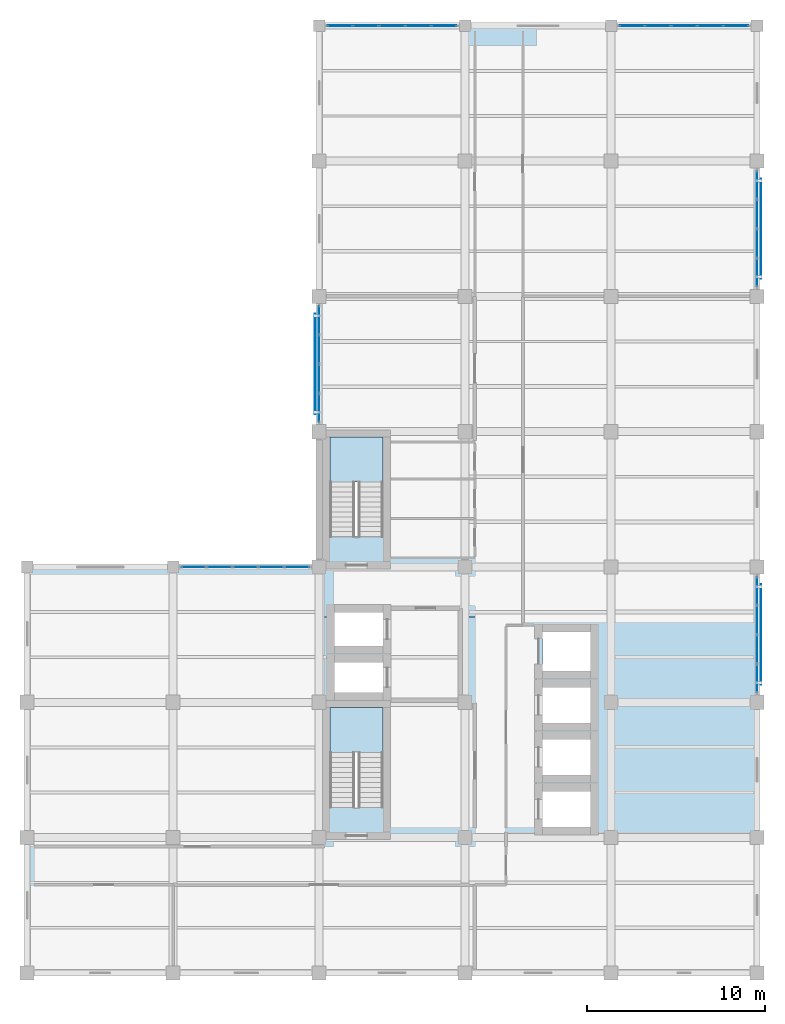
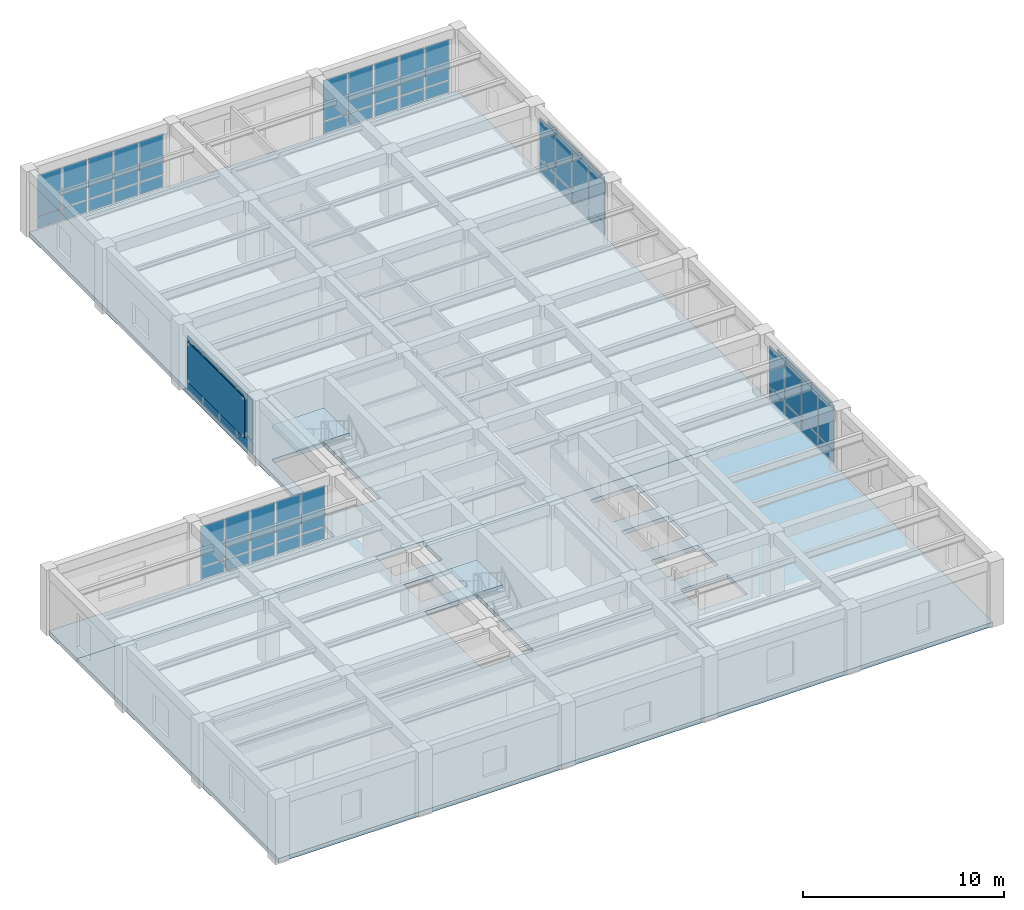
# One storey, part 6 of 13: 57 plates, 4 slabs, 8 elements without a shape of their own.
"""IFC4 building model written with IfcOpenShell, lengths in metres."""

from ifc_helpers import new_model, si_unit, direction, frame, origin, origin_2d, place, context, subcontext, project, spatial, polyline, rectangle, outline, extrude, material, layer, layer_set, type_object, element, aggregate, save


model = new_model("IFC4")

# Units and contexts
model_context = context("Model", 3, precision=1e-05, world=origin(), true_north=direction((0.0, 1.0)))
body_context = subcontext(model_context, "Body", "Model", "MODEL_VIEW")
ifc_project = project(units=[si_unit("LENGTHUNIT", "METRE"), si_unit("AREAUNIT", "SQUARE_METRE"), si_unit("VOLUMEUNIT", "CUBIC_METRE"), si_unit("PLANEANGLEUNIT", "RADIAN"), si_unit("MASSUNIT", "GRAM", prefix="KILO")], contexts=[model_context])

# Site, building, storey
site_placement = place(None, origin())
site = spatial("IfcSite", under=ifc_project, at=site_placement, CompositionType="ELEMENT")
building_placement = place(site_placement, origin())
building = spatial("IfcBuilding", under=site, at=building_placement, Name="Qandaris Square Conservatory and Botanical Centre", CompositionType="ELEMENT")
storey_placement = place(building_placement, frame((0.0, 0.0, 45.0)))
storey = spatial("IfcBuildingStorey", under=building, at=storey_placement, Name="L10", CompositionType="ELEMENT", Elevation=45.0)

# Curtain wall, plates
ifc_material_1 = material(Name="Anodised Aluminium", Category="aluminium")
curtain_wall_type_1 = type_object("IfcCurtainWallType", Name="Unitised Curtain Wall CW-4-660x335", PredefinedType="USERDEFINED", material=ifc_material_1)
curtain_wall_1_placement = place(storey_placement, origin())
curtain_wall_1 = element("IfcCurtainWall", 1, at=curtain_wall_1_placement, inside=storey, type_object=curtain_wall_type_1, Name="Curtain Wall CW-TWR-L10-2-3", ObjectType="GLAZED CURTAIN WALL", PredefinedType="USERDEFINED")
ifc_material_2 = material(Name="Tempered Low-E Glass", Category="glass")
ifc_layer_1 = layer(ifc_material_2, 0.035888671875)
ifc_layer_set_1 = layer_set([ifc_layer_1], Name="Tempered Low-E Glass")
plate_type_1 = type_object("IfcPlateType", Name="Double-Glazed Solar Control Vision Unit 36mm", PredefinedType="CURTAIN_PANEL", material=ifc_layer_set_1)
plate_1_placement = place(storey_placement, frame((163.800048828125, 33.141357421875, 0.06494140625), z_axis=(0.0, 0.0, 1.0), x_axis=(0.0, 1.0, 0.0)))
plate_1 = element("IfcPlate", 2, at=plate_1_placement, type_object=plate_type_1, Name="CW-4-660x335 panel 1.1", PredefinedType="CURTAIN_PANEL", context=body_context, shape_type="SweptSolid", body=[
    extrude(rectangle(XDim=1.552490234375, YDim=0.035888671875, at=origin_2d()), origin(), (0.0, 0.0, 1.0), 0.70654296875),
])
plate_2_placement = place(storey_placement, frame((163.800048828125, 33.141357421875, 0.83642578125), z_axis=(0.0, 0.0, 1.0), x_axis=(0.0, 1.0, 0.0)))
plate_2 = element("IfcPlate", 3, at=plate_2_placement, type_object=plate_type_1, Name="CW-4-660x335 panel 1.2", PredefinedType="CURTAIN_PANEL", context=body_context, shape_type="SweptSolid", body=[
    extrude(rectangle(XDim=1.552490234375, YDim=0.035888671875, at=origin_2d()), origin(), (0.0, 0.0, 1.0), 2.448486328125),
])
plate_3_placement = place(storey_placement, frame((163.800048828125, 34.77490234375, 0.06494140625), z_axis=(0.0, 0.0, 1.0), x_axis=(0.0, 1.0, 0.0)))
plate_3 = element("IfcPlate", 4, at=plate_3_placement, type_object=plate_type_1, Name="CW-4-660x335 panel 2.1", PredefinedType="CURTAIN_PANEL", context=body_context, shape_type="SweptSolid", body=[
    extrude(rectangle(XDim=1.5849609375, YDim=0.035888671875, at=origin_2d()), origin(), (0.0, 0.0, 1.0), 0.70654296875),
])
plate_4_placement = place(storey_placement, frame((163.800048828125, 34.77490234375, 0.83642578125), z_axis=(0.0, 0.0, 1.0), x_axis=(0.0, 1.0, 0.0)))
plate_4 = element("IfcPlate", 5, at=plate_4_placement, type_object=plate_type_1, Name="CW-4-660x335 panel 2.2", PredefinedType="CURTAIN_PANEL", context=body_context, shape_type="SweptSolid", body=[
    extrude(rectangle(XDim=1.5849609375, YDim=0.035888671875, at=origin_2d()), origin(), (0.0, 0.0, 1.0), 2.448486328125),
])
plate_5_placement = place(storey_placement, frame((163.800048828125, 36.425048828125, 0.06494140625), z_axis=(0.0, 0.0, 1.0), x_axis=(0.0, 1.0, 0.0)))
plate_5 = element("IfcPlate", 6, at=plate_5_placement, type_object=plate_type_1, Name="CW-4-660x335 panel 3.1", PredefinedType="CURTAIN_PANEL", context=body_context, shape_type="SweptSolid", body=[
    extrude(rectangle(XDim=1.5849609375, YDim=0.035888671875, at=origin_2d()), origin(), (0.0, 0.0, 1.0), 0.70654296875),
])
plate_6_placement = place(storey_placement, frame((163.800048828125, 36.425048828125, 0.83642578125), z_axis=(0.0, 0.0, 1.0), x_axis=(0.0, 1.0, 0.0)))
plate_6 = element("IfcPlate", 7, at=plate_6_placement, type_object=plate_type_1, Name="CW-4-660x335 panel 3.2", PredefinedType="CURTAIN_PANEL", context=body_context, shape_type="SweptSolid", body=[
    extrude(rectangle(XDim=1.5849609375, YDim=0.035888671875, at=origin_2d()), origin(), (0.0, 0.0, 1.0), 2.448486328125),
])
plate_7_placement = place(storey_placement, frame((163.800048828125, 38.058837890625, 0.06494140625), z_axis=(0.0, 0.0, 1.0), x_axis=(0.0, 1.0, 0.0)))
plate_7 = element("IfcPlate", 8, at=plate_7_placement, type_object=plate_type_1, Name="CW-4-660x335 panel 4.1", PredefinedType="CURTAIN_PANEL", context=body_context, shape_type="SweptSolid", body=[
    extrude(rectangle(XDim=1.552490234375, YDim=0.035888671875, at=origin_2d()), origin(), (0.0, 0.0, 1.0), 0.70654296875),
])
plate_8_placement = place(storey_placement, frame((163.800048828125, 38.058837890625, 0.83642578125), z_axis=(0.0, 0.0, 1.0), x_axis=(0.0, 1.0, 0.0)))
plate_8 = element("IfcPlate", 9, at=plate_8_placement, type_object=plate_type_1, Name="CW-4-660x335 panel 4.2", PredefinedType="CURTAIN_PANEL", context=body_context, shape_type="SweptSolid", body=[
    extrude(rectangle(XDim=1.552490234375, YDim=0.035888671875, at=origin_2d()), origin(), (0.0, 0.0, 1.0), 2.448486328125),
])
aggregate(curtain_wall_1, [plate_1, plate_2, plate_3, plate_4, plate_5, plate_6, plate_7, plate_8])

curtain_wall_2_placement = place(storey_placement, origin())
curtain_wall_2 = element("IfcCurtainWall", 10, at=curtain_wall_2_placement, inside=storey, type_object=curtain_wall_type_1, Name="Curtain Wall CW-TWR-L10-2-6", ObjectType="GLAZED CURTAIN WALL", PredefinedType="USERDEFINED")
plate_9_placement = place(storey_placement, frame((163.800048828125, 55.941162109375, 0.06494140625), z_axis=(0.0, 0.0, 1.0), x_axis=(0.0, 1.0, 0.0)))
plate_9 = element("IfcPlate", 11, at=plate_9_placement, type_object=plate_type_1, Name="CW-4-660x335 panel 1.1", PredefinedType="CURTAIN_PANEL", context=body_context, shape_type="SweptSolid", body=[
    extrude(rectangle(XDim=1.552490234375, YDim=0.035888671875, at=origin_2d()), origin(), (0.0, 0.0, 1.0), 0.70654296875),
])
plate_10_placement = place(storey_placement, frame((163.800048828125, 55.941162109375, 0.83642578125), z_axis=(0.0, 0.0, 1.0), x_axis=(0.0, 1.0, 0.0)))
plate_10 = element("IfcPlate", 12, at=plate_10_placement, type_object=plate_type_1, Name="CW-4-660x335 panel 1.2", PredefinedType="CURTAIN_PANEL", context=body_context, shape_type="SweptSolid", body=[
    extrude(rectangle(XDim=1.552490234375, YDim=0.035888671875, at=origin_2d()), origin(), (0.0, 0.0, 1.0), 2.448486328125),
])
plate_11_placement = place(storey_placement, frame((163.800048828125, 57.574951171875, 0.06494140625), z_axis=(0.0, 0.0, 1.0), x_axis=(0.0, 1.0, 0.0)))
plate_11 = element("IfcPlate", 13, at=plate_11_placement, type_object=plate_type_1, Name="CW-4-660x335 panel 2.1", PredefinedType="CURTAIN_PANEL", context=body_context, shape_type="SweptSolid", body=[
    extrude(rectangle(XDim=1.5849609375, YDim=0.035888671875, at=origin_2d()), origin(), (0.0, 0.0, 1.0), 0.70654296875),
])
plate_12_placement = place(storey_placement, frame((163.800048828125, 57.574951171875, 0.83642578125), z_axis=(0.0, 0.0, 1.0), x_axis=(0.0, 1.0, 0.0)))
plate_12 = element("IfcPlate", 14, at=plate_12_placement, type_object=plate_type_1, Name="CW-4-660x335 panel 2.2", PredefinedType="CURTAIN_PANEL", context=body_context, shape_type="SweptSolid", body=[
    extrude(rectangle(XDim=1.5849609375, YDim=0.035888671875, at=origin_2d()), origin(), (0.0, 0.0, 1.0), 2.448486328125),
])
plate_13_placement = place(storey_placement, frame((163.800048828125, 59.22509765625, 0.06494140625), z_axis=(0.0, 0.0, 1.0), x_axis=(0.0, 1.0, 0.0)))
plate_13 = element("IfcPlate", 15, at=plate_13_placement, type_object=plate_type_1, Name="CW-4-660x335 panel 3.1", PredefinedType="CURTAIN_PANEL", context=body_context, shape_type="SweptSolid", body=[
    extrude(rectangle(XDim=1.5849609375, YDim=0.035888671875, at=origin_2d()), origin(), (0.0, 0.0, 1.0), 0.70654296875),
])
plate_14_placement = place(storey_placement, frame((163.800048828125, 59.22509765625, 0.83642578125), z_axis=(0.0, 0.0, 1.0), x_axis=(0.0, 1.0, 0.0)))
plate_14 = element("IfcPlate", 16, at=plate_14_placement, type_object=plate_type_1, Name="CW-4-660x335 panel 3.2", PredefinedType="CURTAIN_PANEL", context=body_context, shape_type="SweptSolid", body=[
    extrude(rectangle(XDim=1.5849609375, YDim=0.035888671875, at=origin_2d()), origin(), (0.0, 0.0, 1.0), 2.448486328125),
])
plate_15_placement = place(storey_placement, frame((163.800048828125, 60.858642578125, 0.06494140625), z_axis=(0.0, 0.0, 1.0), x_axis=(0.0, 1.0, 0.0)))
plate_15 = element("IfcPlate", 17, at=plate_15_placement, type_object=plate_type_1, Name="CW-4-660x335 panel 4.1", PredefinedType="CURTAIN_PANEL", context=body_context, shape_type="SweptSolid", body=[
    extrude(rectangle(XDim=1.552490234375, YDim=0.035888671875, at=origin_2d()), origin(), (0.0, 0.0, 1.0), 0.70654296875),
])
plate_16_placement = place(storey_placement, frame((163.800048828125, 60.858642578125, 0.83642578125), z_axis=(0.0, 0.0, 1.0), x_axis=(0.0, 1.0, 0.0)))
plate_16 = element("IfcPlate", 18, at=plate_16_placement, type_object=plate_type_1, Name="CW-4-660x335 panel 4.2", PredefinedType="CURTAIN_PANEL", context=body_context, shape_type="SweptSolid", body=[
    extrude(rectangle(XDim=1.552490234375, YDim=0.035888671875, at=origin_2d()), origin(), (0.0, 0.0, 1.0), 2.448486328125),
])
aggregate(curtain_wall_2, [plate_9, plate_10, plate_11, plate_12, plate_13, plate_14, plate_15, plate_16])

curtain_wall_type_2 = type_object("IfcCurtainWallType", Name="Unitised Curtain Wall CW-3-735x335", PredefinedType="USERDEFINED", material=ifc_material_1)
curtain_wall_3_placement = place(storey_placement, origin())
curtain_wall_3 = element("IfcCurtainWall", 19, at=curtain_wall_3_placement, inside=storey, type_object=curtain_wall_type_2, Name="Curtain Wall CW-TWR-L10-3-1", ObjectType="GLAZED CURTAIN WALL", PredefinedType="USERDEFINED")
plate_17_placement = place(storey_placement, frame((162.623779296875, 69.800048828125, 0.06494140625), z_axis=(0.0, 0.0, 1.0), x_axis=(-1.0, 0.0, 0.0)))
plate_17 = element("IfcPlate", 20, at=plate_17_placement, type_object=plate_type_1, Name="CW-3-735x335 panel 1.1", PredefinedType="CURTAIN_PANEL", context=body_context, shape_type="SweptSolid", body=[
    extrude(rectangle(XDim=1.37255859375, YDim=0.035888671875, at=origin_2d()), origin(), (0.0, 0.0, 1.0), 0.70654296875),
])
plate_18_placement = place(storey_placement, frame((162.623779296875, 69.800048828125, 0.83642578125), z_axis=(0.0, 0.0, 1.0), x_axis=(-1.0, 0.0, 0.0)))
plate_18 = element("IfcPlate", 21, at=plate_18_placement, type_object=plate_type_1, Name="CW-3-735x335 panel 1.2", PredefinedType="CURTAIN_PANEL", context=body_context, shape_type="SweptSolid", body=[
    extrude(rectangle(XDim=1.37255859375, YDim=0.035888671875, at=origin_2d()), origin(), (0.0, 0.0, 1.0), 2.448486328125),
])
plate_19_placement = place(storey_placement, frame((161.169921875, 69.800048828125, 0.06494140625), z_axis=(0.0, 0.0, 1.0), x_axis=(-1.0, 0.0, 0.0)))
plate_19 = element("IfcPlate", 22, at=plate_19_placement, type_object=plate_type_1, Name="CW-3-735x335 panel 2.1", PredefinedType="CURTAIN_PANEL", context=body_context, shape_type="SweptSolid", body=[
    extrude(rectangle(XDim=1.405029296875, YDim=0.035888671875, at=origin_2d()), origin(), (0.0, 0.0, 1.0), 0.70654296875),
])
plate_20_placement = place(storey_placement, frame((161.169921875, 69.800048828125, 0.83642578125), z_axis=(0.0, 0.0, 1.0), x_axis=(-1.0, 0.0, 0.0)))
plate_20 = element("IfcPlate", 23, at=plate_20_placement, type_object=plate_type_1, Name="CW-3-735x335 panel 2.2", PredefinedType="CURTAIN_PANEL", context=body_context, shape_type="SweptSolid", body=[
    extrude(rectangle(XDim=1.405029296875, YDim=0.035888671875, at=origin_2d()), origin(), (0.0, 0.0, 1.0), 2.448486328125),
])
plate_21_placement = place(storey_placement, frame((159.699951171875, 69.800048828125, 0.06494140625), z_axis=(0.0, 0.0, 1.0), x_axis=(-1.0, 0.0, 0.0)))
plate_21 = element("IfcPlate", 24, at=plate_21_placement, type_object=plate_type_1, Name="CW-3-735x335 panel 3.1", PredefinedType="CURTAIN_PANEL", context=body_context, shape_type="SweptSolid", body=[
    extrude(rectangle(XDim=1.405029296875, YDim=0.035888671875, at=origin_2d()), origin(), (0.0, 0.0, 1.0), 0.70654296875),
])
plate_22_placement = place(storey_placement, frame((159.699951171875, 69.800048828125, 0.83642578125), z_axis=(0.0, 0.0, 1.0), x_axis=(-1.0, 0.0, 0.0)))
plate_22 = element("IfcPlate", 25, at=plate_22_placement, type_object=plate_type_1, Name="CW-3-735x335 panel 3.2", PredefinedType="CURTAIN_PANEL", context=body_context, shape_type="SweptSolid", body=[
    extrude(rectangle(XDim=1.405029296875, YDim=0.035888671875, at=origin_2d()), origin(), (0.0, 0.0, 1.0), 2.448486328125),
])
plate_23_placement = place(storey_placement, frame((158.22998046875, 69.800048828125, 0.06494140625), z_axis=(0.0, 0.0, 1.0), x_axis=(-1.0, 0.0, 0.0)))
plate_23 = element("IfcPlate", 26, at=plate_23_placement, type_object=plate_type_1, Name="CW-3-735x335 panel 4.1", PredefinedType="CURTAIN_PANEL", context=body_context, shape_type="SweptSolid", body=[
    extrude(rectangle(XDim=1.405029296875, YDim=0.035888671875, at=origin_2d()), origin(), (0.0, 0.0, 1.0), 0.70654296875),
])
plate_24_placement = place(storey_placement, frame((158.22998046875, 69.800048828125, 0.83642578125), z_axis=(0.0, 0.0, 1.0), x_axis=(-1.0, 0.0, 0.0)))
plate_24 = element("IfcPlate", 27, at=plate_24_placement, type_object=plate_type_1, Name="CW-3-735x335 panel 4.2", PredefinedType="CURTAIN_PANEL", context=body_context, shape_type="SweptSolid", body=[
    extrude(rectangle(XDim=1.405029296875, YDim=0.035888671875, at=origin_2d()), origin(), (0.0, 0.0, 1.0), 2.448486328125),
])
plate_25_placement = place(storey_placement, frame((156.7763671875, 69.800048828125, 0.06494140625), z_axis=(0.0, 0.0, 1.0), x_axis=(-1.0, 0.0, 0.0)))
plate_25 = element("IfcPlate", 28, at=plate_25_placement, type_object=plate_type_1, Name="CW-3-735x335 panel 5.1", PredefinedType="CURTAIN_PANEL", context=body_context, shape_type="SweptSolid", body=[
    extrude(rectangle(XDim=1.37255859375, YDim=0.035888671875, at=origin_2d()), origin(), (0.0, 0.0, 1.0), 0.70654296875),
])
plate_26_placement = place(storey_placement, frame((156.7763671875, 69.800048828125, 0.83642578125), z_axis=(0.0, 0.0, 1.0), x_axis=(-1.0, 0.0, 0.0)))
plate_26 = element("IfcPlate", 29, at=plate_26_placement, type_object=plate_type_1, Name="CW-3-735x335 panel 5.2", PredefinedType="CURTAIN_PANEL", context=body_context, shape_type="SweptSolid", body=[
    extrude(rectangle(XDim=1.37255859375, YDim=0.035888671875, at=origin_2d()), origin(), (0.0, 0.0, 1.0), 2.448486328125),
])
aggregate(curtain_wall_3, [plate_17, plate_18, plate_19, plate_20, plate_21, plate_22, plate_23, plate_24, plate_25, plate_26])

curtain_wall_4_placement = place(storey_placement, origin())
curtain_wall_4 = element("IfcCurtainWall", 30, at=curtain_wall_4_placement, inside=storey, type_object=curtain_wall_type_2, Name="Curtain Wall CW-TWR-L10-3-3", ObjectType="GLAZED CURTAIN WALL", PredefinedType="USERDEFINED")
plate_27_placement = place(storey_placement, frame((146.2236328125, 69.800048828125, 0.06494140625), z_axis=(0.0, 0.0, 1.0), x_axis=(-1.0, 0.0, 0.0)))
plate_27 = element("IfcPlate", 31, at=plate_27_placement, type_object=plate_type_1, Name="CW-3-735x335 panel 1.1", PredefinedType="CURTAIN_PANEL", context=body_context, shape_type="SweptSolid", body=[
    extrude(rectangle(XDim=1.37255859375, YDim=0.035888671875, at=origin_2d()), origin(), (0.0, 0.0, 1.0), 0.70654296875),
])
plate_28_placement = place(storey_placement, frame((146.2236328125, 69.800048828125, 0.83642578125), z_axis=(0.0, 0.0, 1.0), x_axis=(-1.0, 0.0, 0.0)))
plate_28 = element("IfcPlate", 32, at=plate_28_placement, type_object=plate_type_1, Name="CW-3-735x335 panel 1.2", PredefinedType="CURTAIN_PANEL", context=body_context, shape_type="SweptSolid", body=[
    extrude(rectangle(XDim=1.37255859375, YDim=0.035888671875, at=origin_2d()), origin(), (0.0, 0.0, 1.0), 2.448486328125),
])
plate_29_placement = place(storey_placement, frame((144.77001953125, 69.800048828125, 0.06494140625), z_axis=(0.0, 0.0, 1.0), x_axis=(-1.0, 0.0, 0.0)))
plate_29 = element("IfcPlate", 33, at=plate_29_placement, type_object=plate_type_1, Name="CW-3-735x335 panel 2.1", PredefinedType="CURTAIN_PANEL", context=body_context, shape_type="SweptSolid", body=[
    extrude(rectangle(XDim=1.405029296875, YDim=0.035888671875, at=origin_2d()), origin(), (0.0, 0.0, 1.0), 0.70654296875),
])
plate_30_placement = place(storey_placement, frame((144.77001953125, 69.800048828125, 0.83642578125), z_axis=(0.0, 0.0, 1.0), x_axis=(-1.0, 0.0, 0.0)))
plate_30 = element("IfcPlate", 34, at=plate_30_placement, type_object=plate_type_1, Name="CW-3-735x335 panel 2.2", PredefinedType="CURTAIN_PANEL", context=body_context, shape_type="SweptSolid", body=[
    extrude(rectangle(XDim=1.405029296875, YDim=0.035888671875, at=origin_2d()), origin(), (0.0, 0.0, 1.0), 2.448486328125),
])
plate_31_placement = place(storey_placement, frame((143.300048828125, 69.800048828125, 0.06494140625), z_axis=(0.0, 0.0, 1.0), x_axis=(-1.0, 0.0, 0.0)))
plate_31 = element("IfcPlate", 35, at=plate_31_placement, type_object=plate_type_1, Name="CW-3-735x335 panel 3.1", PredefinedType="CURTAIN_PANEL", context=body_context, shape_type="SweptSolid", body=[
    extrude(rectangle(XDim=1.405029296875, YDim=0.035888671875, at=origin_2d()), origin(), (0.0, 0.0, 1.0), 0.70654296875),
])
plate_32_placement = place(storey_placement, frame((143.300048828125, 69.800048828125, 0.83642578125), z_axis=(0.0, 0.0, 1.0), x_axis=(-1.0, 0.0, 0.0)))
plate_32 = element("IfcPlate", 36, at=plate_32_placement, type_object=plate_type_1, Name="CW-3-735x335 panel 3.2", PredefinedType="CURTAIN_PANEL", context=body_context, shape_type="SweptSolid", body=[
    extrude(rectangle(XDim=1.405029296875, YDim=0.035888671875, at=origin_2d()), origin(), (0.0, 0.0, 1.0), 2.448486328125),
])
plate_33_placement = place(storey_placement, frame((141.830078125, 69.800048828125, 0.06494140625), z_axis=(0.0, 0.0, 1.0), x_axis=(-1.0, 0.0, 0.0)))
plate_33 = element("IfcPlate", 37, at=plate_33_placement, type_object=plate_type_1, Name="CW-3-735x335 panel 4.1", PredefinedType="CURTAIN_PANEL", context=body_context, shape_type="SweptSolid", body=[
    extrude(rectangle(XDim=1.405029296875, YDim=0.035888671875, at=origin_2d()), origin(), (0.0, 0.0, 1.0), 0.70654296875),
])
plate_34_placement = place(storey_placement, frame((141.830078125, 69.800048828125, 0.83642578125), z_axis=(0.0, 0.0, 1.0), x_axis=(-1.0, 0.0, 0.0)))
plate_34 = element("IfcPlate", 38, at=plate_34_placement, type_object=plate_type_1, Name="CW-3-735x335 panel 4.2", PredefinedType="CURTAIN_PANEL", context=body_context, shape_type="SweptSolid", body=[
    extrude(rectangle(XDim=1.405029296875, YDim=0.035888671875, at=origin_2d()), origin(), (0.0, 0.0, 1.0), 2.448486328125),
])
plate_35_placement = place(storey_placement, frame((140.376220703125, 69.800048828125, 0.06494140625), z_axis=(0.0, 0.0, 1.0), x_axis=(-1.0, 0.0, 0.0)))
plate_35 = element("IfcPlate", 39, at=plate_35_placement, type_object=plate_type_1, Name="CW-3-735x335 panel 5.1", PredefinedType="CURTAIN_PANEL", context=body_context, shape_type="SweptSolid", body=[
    extrude(rectangle(XDim=1.37255859375, YDim=0.035888671875, at=origin_2d()), origin(), (0.0, 0.0, 1.0), 0.70654296875),
])
plate_36_placement = place(storey_placement, frame((140.376220703125, 69.800048828125, 0.83642578125), z_axis=(0.0, 0.0, 1.0), x_axis=(-1.0, 0.0, 0.0)))
plate_36 = element("IfcPlate", 40, at=plate_36_placement, type_object=plate_type_1, Name="CW-3-735x335 panel 5.2", PredefinedType="CURTAIN_PANEL", context=body_context, shape_type="SweptSolid", body=[
    extrude(rectangle(XDim=1.37255859375, YDim=0.035888671875, at=origin_2d()), origin(), (0.0, 0.0, 1.0), 2.448486328125),
])
aggregate(curtain_wall_4, [plate_27, plate_28, plate_29, plate_30, plate_31, plate_32, plate_33, plate_34, plate_35, plate_36])

curtain_wall_5_placement = place(storey_placement, origin())
curtain_wall_5 = element("IfcCurtainWall", 41, at=curtain_wall_5_placement, inside=storey, type_object=curtain_wall_type_1, Name="Curtain Wall CW-TWR-L10-4-3", ObjectType="GLAZED CURTAIN WALL", PredefinedType="USERDEFINED")
plate_37_placement = place(storey_placement, frame((139.199951171875, 53.2587890625, 0.06494140625), z_axis=(0.0, 0.0, 1.0), x_axis=(0.0, -1.0, 0.0)))
plate_37 = element("IfcPlate", 42, at=plate_37_placement, type_object=plate_type_1, Name="CW-4-660x335 panel 1.1", PredefinedType="CURTAIN_PANEL", context=body_context, shape_type="SweptSolid", body=[
    extrude(rectangle(XDim=1.552490234375, YDim=0.035888671875, at=origin_2d()), origin(), (0.0, 0.0, 1.0), 0.70654296875),
])
plate_38_placement = place(storey_placement, frame((139.199951171875, 53.2587890625, 0.83642578125), z_axis=(0.0, 0.0, 1.0), x_axis=(0.0, -1.0, 0.0)))
plate_38 = element("IfcPlate", 43, at=plate_38_placement, type_object=plate_type_1, Name="CW-4-660x335 panel 1.2", PredefinedType="CURTAIN_PANEL", context=body_context, shape_type="SweptSolid", body=[
    extrude(rectangle(XDim=1.552490234375, YDim=0.035888671875, at=origin_2d()), origin(), (0.0, 0.0, 1.0), 2.448486328125),
])
plate_39_placement = place(storey_placement, frame((139.199951171875, 51.625, 0.06494140625), z_axis=(0.0, 0.0, 1.0), x_axis=(0.0, -1.0, 0.0)))
plate_39 = element("IfcPlate", 44, at=plate_39_placement, type_object=plate_type_1, Name="CW-4-660x335 panel 2.1", PredefinedType="CURTAIN_PANEL", context=body_context, shape_type="SweptSolid", body=[
    extrude(rectangle(XDim=1.5849609375, YDim=0.035888671875, at=origin_2d()), origin(), (0.0, 0.0, 1.0), 0.70654296875),
])
plate_40_placement = place(storey_placement, frame((139.199951171875, 51.625, 0.83642578125), z_axis=(0.0, 0.0, 1.0), x_axis=(0.0, -1.0, 0.0)))
plate_40 = element("IfcPlate", 45, at=plate_40_placement, type_object=plate_type_1, Name="CW-4-660x335 panel 2.2", PredefinedType="CURTAIN_PANEL", context=body_context, shape_type="SweptSolid", body=[
    extrude(rectangle(XDim=1.5849609375, YDim=0.035888671875, at=origin_2d()), origin(), (0.0, 0.0, 1.0), 2.448486328125),
])
plate_41_placement = place(storey_placement, frame((139.199951171875, 49.97509765625, 0.06494140625), z_axis=(0.0, 0.0, 1.0), x_axis=(0.0, -1.0, 0.0)))
plate_41 = element("IfcPlate", 46, at=plate_41_placement, type_object=plate_type_1, Name="CW-4-660x335 panel 3.1", PredefinedType="CURTAIN_PANEL", context=body_context, shape_type="SweptSolid", body=[
    extrude(rectangle(XDim=1.5849609375, YDim=0.035888671875, at=origin_2d()), origin(), (0.0, 0.0, 1.0), 0.70654296875),
])
plate_42_placement = place(storey_placement, frame((139.199951171875, 49.97509765625, 0.83642578125), z_axis=(0.0, 0.0, 1.0), x_axis=(0.0, -1.0, 0.0)))
plate_42 = element("IfcPlate", 47, at=plate_42_placement, type_object=plate_type_1, Name="CW-4-660x335 panel 3.2", PredefinedType="CURTAIN_PANEL", context=body_context, shape_type="SweptSolid", body=[
    extrude(rectangle(XDim=1.5849609375, YDim=0.035888671875, at=origin_2d()), origin(), (0.0, 0.0, 1.0), 2.448486328125),
])
plate_43_placement = place(storey_placement, frame((139.199951171875, 48.34130859375, 0.06494140625), z_axis=(0.0, 0.0, 1.0), x_axis=(0.0, -1.0, 0.0)))
plate_43 = element("IfcPlate", 48, at=plate_43_placement, type_object=plate_type_1, Name="CW-4-660x335 panel 4.1", PredefinedType="CURTAIN_PANEL", context=body_context, shape_type="SweptSolid", body=[
    extrude(rectangle(XDim=1.552490234375, YDim=0.035888671875, at=origin_2d()), origin(), (0.0, 0.0, 1.0), 0.70654296875),
])
plate_44_placement = place(storey_placement, frame((139.199951171875, 48.34130859375, 0.83642578125), z_axis=(0.0, 0.0, 1.0), x_axis=(0.0, -1.0, 0.0)))
plate_44 = element("IfcPlate", 49, at=plate_44_placement, type_object=plate_type_1, Name="CW-4-660x335 panel 4.2", PredefinedType="CURTAIN_PANEL", context=body_context, shape_type="SweptSolid", body=[
    extrude(rectangle(XDim=1.552490234375, YDim=0.035888671875, at=origin_2d()), origin(), (0.0, 0.0, 1.0), 2.448486328125),
])
aggregate(curtain_wall_5, [plate_37, plate_38, plate_39, plate_40, plate_41, plate_42, plate_43, plate_44])

curtain_wall_type_3 = type_object("IfcCurtainWallType", Name="Unitised Curtain Wall CW-4-727x335", PredefinedType="USERDEFINED", material=ifc_material_1)
curtain_wall_6_placement = place(storey_placement, origin())
curtain_wall_6 = element("IfcCurtainWall", 50, at=curtain_wall_6_placement, inside=storey, type_object=curtain_wall_type_3, Name="Curtain Wall CW-TWR-L10-5-1", ObjectType="GLAZED CURTAIN WALL", PredefinedType="USERDEFINED")
plate_45_placement = place(storey_placement, frame((137.956298828125, 39.39990234375, 0.06494140625), z_axis=(0.0, 0.0, 1.0), x_axis=(-1.0, 0.0, 0.0)))
plate_45 = element("IfcPlate", 51, at=plate_45_placement, type_object=plate_type_1, Name="CW-4-727x335 panel 1.1", PredefinedType="CURTAIN_PANEL", context=body_context, shape_type="SweptSolid", body=[
    extrude(rectangle(XDim=1.357421875, YDim=0.035888671875, at=origin_2d()), origin(), (0.0, 0.0, 1.0), 0.70654296875),
])
plate_46_placement = place(storey_placement, frame((137.956298828125, 39.39990234375, 0.83642578125), z_axis=(0.0, 0.0, 1.0), x_axis=(-1.0, 0.0, 0.0)))
plate_46 = element("IfcPlate", 52, at=plate_46_placement, type_object=plate_type_1, Name="CW-4-727x335 panel 1.2", PredefinedType="CURTAIN_PANEL", context=body_context, shape_type="SweptSolid", body=[
    extrude(rectangle(XDim=1.357421875, YDim=0.035888671875, at=origin_2d()), origin(), (0.0, 0.0, 1.0), 2.448486328125),
])
plate_47_placement = place(storey_placement, frame((136.517578125, 39.39990234375, 0.06494140625), z_axis=(0.0, 0.0, 1.0), x_axis=(-1.0, 0.0, 0.0)))
plate_47 = element("IfcPlate", 53, at=plate_47_placement, type_object=plate_type_1, Name="CW-4-727x335 panel 2.1", PredefinedType="CURTAIN_PANEL", context=body_context, shape_type="SweptSolid", body=[
    extrude(rectangle(XDim=1.389892578125, YDim=0.035888671875, at=origin_2d()), origin(), (0.0, 0.0, 1.0), 0.70654296875),
])
plate_48_placement = place(storey_placement, frame((136.517578125, 39.39990234375, 0.83642578125), z_axis=(0.0, 0.0, 1.0), x_axis=(-1.0, 0.0, 0.0)))
plate_48 = element("IfcPlate", 54, at=plate_48_placement, type_object=plate_type_1, Name="CW-4-727x335 panel 2.2", PredefinedType="CURTAIN_PANEL", context=body_context, shape_type="SweptSolid", body=[
    extrude(rectangle(XDim=1.389892578125, YDim=0.035888671875, at=origin_2d()), origin(), (0.0, 0.0, 1.0), 2.448486328125),
])
plate_49_placement = place(storey_placement, frame((135.0625, 39.39990234375, 0.06494140625), z_axis=(0.0, 0.0, 1.0), x_axis=(-1.0, 0.0, 0.0)))
plate_49 = element("IfcPlate", 55, at=plate_49_placement, type_object=plate_type_1, Name="CW-4-727x335 panel 3.1", PredefinedType="CURTAIN_PANEL", context=body_context, shape_type="SweptSolid", body=[
    extrude(rectangle(XDim=1.389892578125, YDim=0.035888671875, at=origin_2d()), origin(), (0.0, 0.0, 1.0), 0.70654296875),
])
plate_50_placement = place(storey_placement, frame((135.0625, 39.39990234375, 0.83642578125), z_axis=(0.0, 0.0, 1.0), x_axis=(-1.0, 0.0, 0.0)))
plate_50 = element("IfcPlate", 56, at=plate_50_placement, type_object=plate_type_1, Name="CW-4-727x335 panel 3.2", PredefinedType="CURTAIN_PANEL", context=body_context, shape_type="SweptSolid", body=[
    extrude(rectangle(XDim=1.389892578125, YDim=0.035888671875, at=origin_2d()), origin(), (0.0, 0.0, 1.0), 2.448486328125),
])
plate_51_placement = place(storey_placement, frame((133.607421875, 39.39990234375, 0.06494140625), z_axis=(0.0, 0.0, 1.0), x_axis=(-1.0, 0.0, 0.0)))
plate_51 = element("IfcPlate", 57, at=plate_51_placement, type_object=plate_type_1, Name="CW-4-727x335 panel 4.1", PredefinedType="CURTAIN_PANEL", context=body_context, shape_type="SweptSolid", body=[
    extrude(rectangle(XDim=1.389892578125, YDim=0.035888671875, at=origin_2d()), origin(), (0.0, 0.0, 1.0), 0.70654296875),
])
plate_52_placement = place(storey_placement, frame((133.607421875, 39.39990234375, 0.83642578125), z_axis=(0.0, 0.0, 1.0), x_axis=(-1.0, 0.0, 0.0)))
plate_52 = element("IfcPlate", 58, at=plate_52_placement, type_object=plate_type_1, Name="CW-4-727x335 panel 4.2", PredefinedType="CURTAIN_PANEL", context=body_context, shape_type="SweptSolid", body=[
    extrude(rectangle(XDim=1.389892578125, YDim=0.035888671875, at=origin_2d()), origin(), (0.0, 0.0, 1.0), 2.448486328125),
])
plate_53_placement = place(storey_placement, frame((132.168701171875, 39.39990234375, 0.06494140625), z_axis=(0.0, 0.0, 1.0), x_axis=(-1.0, 0.0, 0.0)))
plate_53 = element("IfcPlate", 59, at=plate_53_placement, type_object=plate_type_1, Name="CW-4-727x335 panel 5.1", PredefinedType="CURTAIN_PANEL", context=body_context, shape_type="SweptSolid", body=[
    extrude(rectangle(XDim=1.357421875, YDim=0.035888671875, at=origin_2d()), origin(), (0.0, 0.0, 1.0), 0.70654296875),
])
plate_54_placement = place(storey_placement, frame((132.168701171875, 39.39990234375, 0.83642578125), z_axis=(0.0, 0.0, 1.0), x_axis=(-1.0, 0.0, 0.0)))
plate_54 = element("IfcPlate", 60, at=plate_54_placement, type_object=plate_type_1, Name="CW-4-727x335 panel 5.2", PredefinedType="CURTAIN_PANEL", context=body_context, shape_type="SweptSolid", body=[
    extrude(rectangle(XDim=1.357421875, YDim=0.035888671875, at=origin_2d()), origin(), (0.0, 0.0, 1.0), 2.448486328125),
])
aggregate(curtain_wall_6, [plate_45, plate_46, plate_47, plate_48, plate_49, plate_50, plate_51, plate_52, plate_53, plate_54])

# Plates
ifc_material_3 = material(Name="Weathering Bronze Alloy", Category="metal")
ifc_layer_2 = layer(ifc_material_3, 0.044921875)
ifc_layer_set_2 = layer_set([ifc_layer_2], Name="Weathering Bronze Alloy")
plate_type_2 = type_object("IfcPlateType", Name="Perforated Bronze Mashrabiya Solar Screen Panel", PredefinedType="USERDEFINED", material=ifc_layer_set_2)
for number, where, z_axis, x_axis, name in (
    (61, (164.02001953125, 35.60009765625, 0.833984375), (0.0, 0.0, 1.0), (0.0, 1.0, 0.0), "Mashrabiya Solar Screen CW-TWR-L10-2-3"),
    (62, (164.02001953125, 58.39990234375, 0.833984375), (0.0, 0.0, 1.0), (0.0, 1.0, 0.0), "Mashrabiya Solar Screen CW-TWR-L10-2-6"),
    (63, (138.97998046875, 50.800048828125, 0.833984375), (0.0, 0.0, 1.0), (0.0, -1.0, 0.0), "Mashrabiya Solar Screen CW-TWR-L10-4-3"),
):
    element("IfcPlate", number, at=place(storey_placement, frame(where, z_axis=z_axis, x_axis=x_axis)), inside=storey, type_object=plate_type_2, Name=name, ObjectType="SOLAR SCREEN", PredefinedType="USERDEFINED", context=body_context, shape_type="SweptSolid", body=[
        extrude(rectangle(XDim=5.639892578125, YDim=0.044921875, at=origin_2d()), origin(), (0.0, 0.0, 1.0), 2.426025390625),
    ])

# Stair, slab
ifc_material_4 = material(Name="Concrete C40/50", Category="concrete")
stair_type = type_object("IfcStairType", Name="Core Escape Scissor Stair", PredefinedType="HALF_TURN_STAIR", material=ifc_material_4)
stair_1_placement = place(storey_placement, origin())
stair_1 = element("IfcStair", 64, at=stair_1_placement, inside=storey, type_object=stair_type, Name="L10 Tower South Exit Stair ST-1", PredefinedType="HALF_TURN_STAIR")
ifc_layer_3 = layer(ifc_material_4, 0.219970703125)
ifc_layer_set_3 = layer_set([ifc_layer_3], Name="Concrete C40/50")
slab_type_1 = type_object("IfcSlabType", Name="RC Stair Half-Landing Slab 220mm", PredefinedType="LANDING", material=ifc_layer_set_3)
slab_1_placement = place(storey_placement, frame((0.0, 0.0, 1.89990234375)))
slab_1 = element("IfcSlab", 65, at=slab_1_placement, type_object=slab_type_1, Name="ST-1 landing 1", PredefinedType="LANDING", context=body_context, shape_type="SweptSolid", body=[
    extrude(outline(polyline([(142.800048828125, 28.97998046875), (142.800048828125, 31.5), (139.800048828125, 31.5), (139.800048828125, 28.97998046875), (142.800048828125, 28.97998046875)])), origin(), (0.0, 0.0, 1.0), 0.2001953125),
])
aggregate(stair_1, [slab_1])

stair_2_placement = place(storey_placement, origin())
stair_2 = element("IfcStair", 66, at=stair_2_placement, inside=storey, type_object=stair_type, Name="L10 Tower North Exit Stair ST-2", PredefinedType="HALF_TURN_STAIR")
slab_2_placement = place(storey_placement, frame((0.0, 0.0, 1.89990234375)))
slab_2 = element("IfcSlab", 67, at=slab_2_placement, type_object=slab_type_1, Name="ST-2 landing 1", PredefinedType="LANDING", context=body_context, shape_type="SweptSolid", body=[
    extrude(outline(polyline([(142.800048828125, 44.179931640625), (142.800048828125, 46.699951171875), (139.800048828125, 46.699951171875), (139.800048828125, 44.179931640625), (142.800048828125, 44.179931640625)])), origin(), (0.0, 0.0, 1.0), 0.2001953125),
])
aggregate(stair_2, [slab_2])

# Slabs
ifc_layer_4 = layer(ifc_material_4, 0.260009765625)
ifc_layer_set_4 = layer_set([ifc_layer_4], Name="Concrete C40/50")
slab_type_2 = type_object("IfcSlabType", Name="RC Structural Slab 260mm", PredefinedType="FLOOR", material=ifc_layer_set_4)
slab_3_placement = place(storey_placement, frame((0.0, 0.0, -0.260009765625)))
element("IfcSlab", 68, at=slab_3_placement, inside=storey, type_object=slab_type_2, Name="L10 Structural Slab V4L10", PredefinedType="FLOOR", context=body_context, shape_type="SweptSolid", body=[
    extrude(outline(polyline([(163.800048828125, 16.60009765625), (122.800048828125, 16.60009765625), (122.800048828125, 36.60009765625), (140.06005859375, 36.60009765625), (140.06005859375, 34.9599609375), (142.800048828125, 34.9599609375), (142.800048828125, 36.60009765625), (163.800048828125, 36.60009765625), (163.800048828125, 16.60009765625)]), holes=[polyline([(151.75, 24.800048828125), (154.449951171875, 24.800048828125), (154.449951171875, 26.800048828125), (151.75, 26.800048828125), (151.75, 24.800048828125)]), polyline([(139.800048828125, 25.89990234375), (142.800048828125, 25.89990234375), (142.800048828125, 31.5), (139.800048828125, 31.5), (139.800048828125, 25.89990234375)]), polyline([(151.75, 27.719970703125), (154.449951171875, 27.719970703125), (154.449951171875, 29.719970703125), (151.75, 29.719970703125), (151.75, 27.719970703125)]), polyline([(151.75, 30.639892578125), (154.449951171875, 30.639892578125), (154.449951171875, 32.639892578125), (151.75, 32.639892578125), (151.75, 30.639892578125)]), polyline([(140.06005859375, 32.360107421875), (142.800048828125, 32.360107421875), (142.800048828125, 34.0400390625), (140.06005859375, 34.0400390625), (140.06005859375, 32.360107421875)]), polyline([(151.75, 33.56005859375), (154.449951171875, 33.56005859375), (154.449951171875, 35.760009765625), (151.75, 35.760009765625), (151.75, 33.56005859375)])]), origin(), (0.0, 0.0, 1.0), 0.260009765625),
])
slab_4_placement = place(storey_placement, frame((0.0, 0.0, -0.260009765625)))
element("IfcSlab", 69, at=slab_4_placement, inside=storey, type_object=slab_type_2, Name="L10 Structural Slab V4L10", PredefinedType="FLOOR", context=body_context, shape_type="SweptSolid", body=[
    extrude(outline(polyline([(139.199951171875, 39.39990234375), (139.199951171875, 69.800048828125), (163.800048828125, 69.800048828125), (163.800048828125, 36.60009765625), (142.800048828125, 36.60009765625), (142.800048828125, 36.840087890625), (140.06005859375, 36.840087890625), (140.06005859375, 36.60009765625), (122.800048828125, 36.60009765625), (122.800048828125, 39.39990234375), (139.199951171875, 39.39990234375)]), holes=[polyline([(139.800048828125, 41.10009765625), (142.800048828125, 41.10009765625), (142.800048828125, 46.699951171875), (139.800048828125, 46.699951171875), (139.800048828125, 41.10009765625)])]), origin(), (0.0, 0.0, 1.0), 0.260009765625),
])

save(model, "model.ifc")
